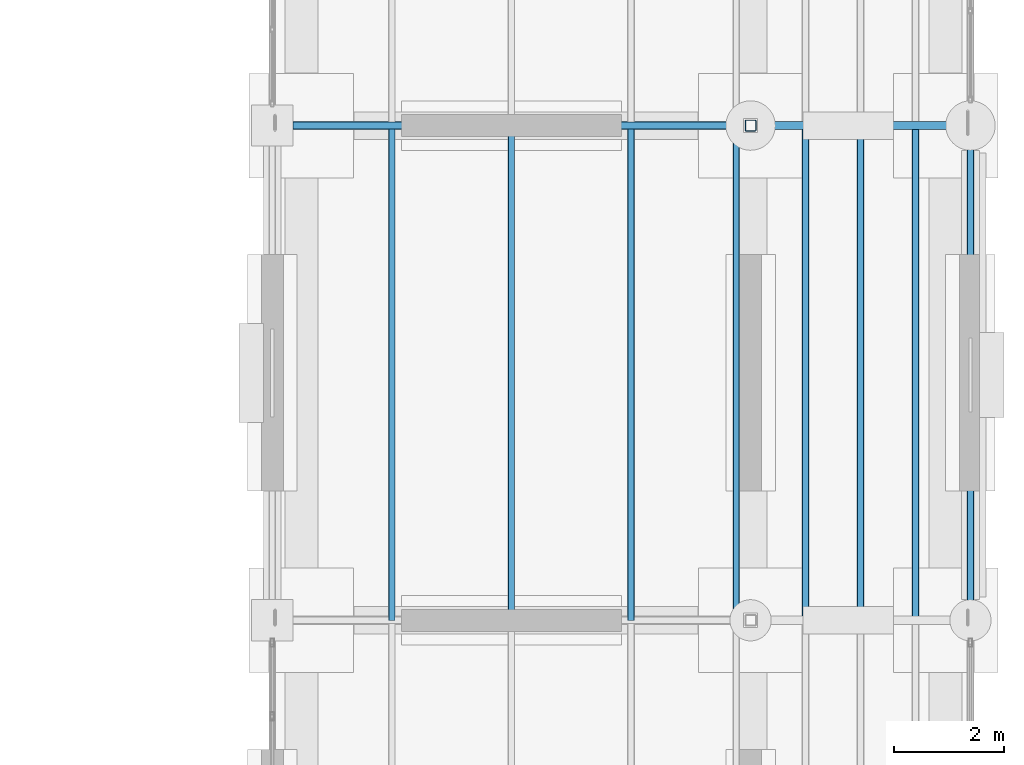
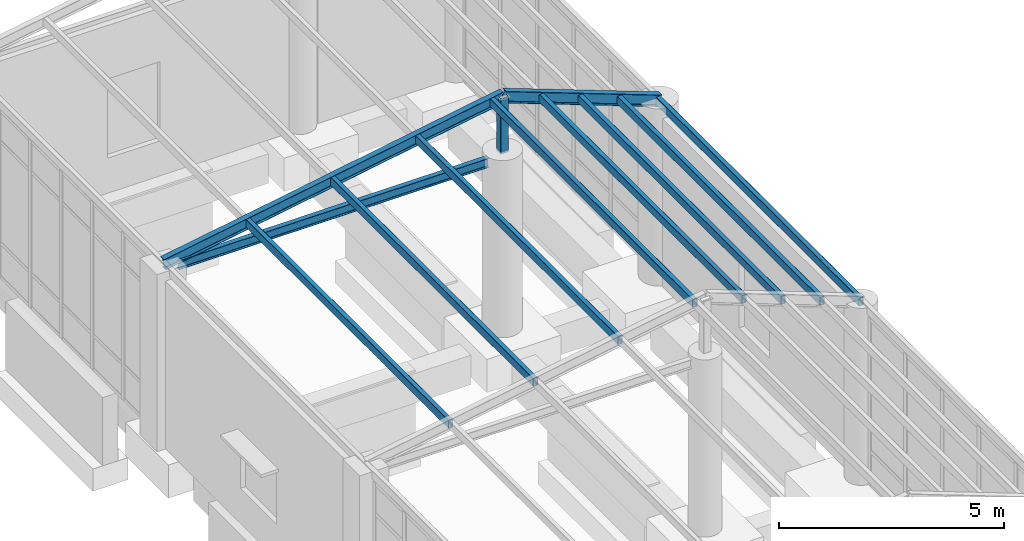
# One storey, part 69 of 111: 11 members, 1 beam.
"""IFC4 building model written with IfcOpenShell, lengths in metres."""

import ifcopenshell
import ifcopenshell.guid

model = None  # the IFC model being written
_history = None  # IfcOwnerHistory: only IFC2X3 demands one
_inside = {}  # id of a spatial element -> (the spatial element, [elements in it])
_under = {}  # id of a project, library or spatial element -> (it, [spatial elements below it])
_declared = {}  # id of a project -> (the project, [libraries it declares])
_typed = {}  # id of a type object -> (the type object, [elements of that type])
_made_of = {}  # id of a material, layer set ... -> (it, [elements and type objects made of it])


def new_model(schema):
    """Start an empty IFC model of exactly this schema.

    Asked for "IFC4X3", IfcOpenShell would pick the latest addendum, in which some entities
    have other attributes; the version numbers below select the first issue.
    IFC2X3 requires an IfcOwnerHistory on every rooted entity: one is made here for all.
    """
    global model, _history
    if schema == "IFC4X3":
        model = ifcopenshell.file(schema_version=(4, 3, 0, 0))
    else:
        model = ifcopenshell.file(schema=schema)
    _inside.clear()
    _under.clear()
    _declared.clear()
    _typed.clear()
    _made_of.clear()
    _history = None
    if model.schema == "IFC2X3":
        org = make("IfcOrganization", Name="unknown")
        user = make(
            "IfcPersonAndOrganization",
            ThePerson=make("IfcPerson", FamilyName="unknown"),
            TheOrganization=org,
        )
        app = make(
            "IfcApplication",
            ApplicationDeveloper=org,
            Version="unknown",
            ApplicationFullName="unknown",
            ApplicationIdentifier="unknown",
        )
        _history = make(
            "IfcOwnerHistory",
            OwningUser=user,
            OwningApplication=app,
            ChangeAction="ADDED",
            CreationDate=0,
        )
    return model


def make(cls, **values):
    """One entity of the class cls with the attributes given. An attribute that is None is left unset."""
    return model.create_entity(
        cls, **{name: value for name, value in values.items() if value is not None}
    )


def rooted(cls, **values):
    """An entity with a GlobalId (a new one), such as an element, a storey or a relation."""
    return make(cls, GlobalId=ifcopenshell.guid.new(), OwnerHistory=_history, **values)


def si_unit(unit_type, name, prefix=None):
    """IfcSIUnit, for example si_unit("LENGTHUNIT", "METRE", prefix="MILLI")."""
    return make("IfcSIUnit", UnitType=unit_type, Prefix=prefix, Name=name)


def assignment(units):
    """IfcUnitAssignment: the units of a project."""
    return None if units is None else make("IfcUnitAssignment", Units=units)


def point(xyz):
    """IfcCartesianPoint."""
    return None if xyz is None else make("IfcCartesianPoint", Coordinates=xyz)


def direction(xyz):
    """IfcDirection."""
    return None if xyz is None else make("IfcDirection", DirectionRatios=xyz)


def frame(location, z_axis=None, x_axis=None):
    """IfcAxis2Placement3D, a coordinate frame: its origin and axes. An axis left out is left unset."""
    return make(
        "IfcAxis2Placement3D",
        Location=point(location),
        Axis=direction(z_axis),
        RefDirection=direction(x_axis),
    )


def frame_2d(location, x_axis=None):
    """IfcAxis2Placement2D, a coordinate frame in the plane: its origin and x axis."""
    return make(
        "IfcAxis2Placement2D", Location=point(location), RefDirection=direction(x_axis)
    )


def origin():
    """The frame at (0, 0, 0) with its axes left unset."""
    return frame((0.0, 0.0, 0.0))


def origin_2d():
    """The frame at (0, 0) in the plane with its x axis left unset."""
    return frame_2d((0.0, 0.0))


def place(relative_to, where):
    """IfcLocalPlacement: puts the frame where relative to a parent placement (None: the world)."""
    return make(
        "IfcLocalPlacement", PlacementRelTo=relative_to, RelativePlacement=where
    )


def context(
    kind, dimensions, precision=None, world=None, true_north=None, identifier=None
):
    """IfcGeometricRepresentationContext, for example the 3D "Model" context."""
    return make(
        "IfcGeometricRepresentationContext",
        ContextIdentifier=identifier,
        ContextType=kind,
        CoordinateSpaceDimension=dimensions,
        Precision=precision,
        WorldCoordinateSystem=world,
        TrueNorth=true_north,
    )


def subcontext(parent, identifier, kind, view, scale=None):
    """IfcGeometricRepresentationSubContext, for example "Body" below "Model"."""
    return make(
        "IfcGeometricRepresentationSubContext",
        ContextIdentifier=identifier,
        ContextType=kind,
        ParentContext=parent,
        TargetScale=scale,
        TargetView=view,
    )


def project(units=None, contexts=None):
    """IfcProject with its units and contexts."""
    return rooted(
        "IfcProject",
        Name="project",
        RepresentationContexts=contexts,
        UnitsInContext=assignment(units),
    )


def spatial(cls, under=None, at=None, **own):
    """A site, building, storey or space (cls), placed at a placement, below another one or the project."""
    s = rooted(cls, ObjectPlacement=at, **own)
    if under is not None:
        _under.setdefault(under.id(), (under, []))[1].append(s)
    return s


def profile(cls, at=None, kind="AREA", **sizes):
    """A parametric profile (cls). Its sizes go by their IFC names, for example OverallWidth=200.0."""
    return make(cls, ProfileType=kind, Position=at, **sizes)


def hollow_rectangle(**sizes):
    """IfcRectangleHollowProfileDef."""
    return profile("IfcRectangleHollowProfileDef", **sizes)


def i_section(**sizes):
    """IfcIShapeProfileDef."""
    return profile("IfcIShapeProfileDef", **sizes)


def extrude(swept, where, along, depth):
    """IfcExtrudedAreaSolid: the profile swept, set in the frame where, extruded along a direction by depth."""
    return make(
        "IfcExtrudedAreaSolid",
        SweptArea=swept,
        Position=where,
        ExtrudedDirection=direction(along),
        Depth=depth,
    )


def shape(context_of_items, identifier, shape_type, items):
    """IfcShapeRepresentation: the items that make up one representation, for example the "Body"."""
    return make(
        "IfcShapeRepresentation",
        ContextOfItems=context_of_items,
        RepresentationIdentifier=identifier,
        RepresentationType=shape_type,
        Items=items,
    )


def material(Name=None, Category=None):
    """IfcMaterial."""
    return make("IfcMaterial", Name=Name, Category=Category)


def material_profile(
    of_material, cross_section, Name=None, Category=None, Priority=None
):
    """IfcMaterialProfile: a cross section and its material."""
    return make(
        "IfcMaterialProfile",
        Name=Name,
        Material=of_material,
        Profile=cross_section,
        Priority=Priority,
        Category=Category,
    )


def profile_set(profiles, Name=None, composite=None):
    """IfcMaterialProfileSet."""
    return make(
        "IfcMaterialProfileSet",
        Name=Name,
        MaterialProfiles=profiles,
        CompositeProfile=composite,
    )


def made_of(thing, what):
    """Note that an element or type object is made of a material, layer set ...; save() writes the relation."""
    if what is not None:
        _made_of.setdefault(what.id(), (what, []))[1].append(thing)
    return thing


def type_object(cls, material=None, **own):
    """A type object (cls), such as IfcWallType, which elements share."""
    return made_of(rooted(cls, **own), material)


def element(
    cls,
    number,
    at=None,
    inside=None,
    cuts=None,
    type_object=None,
    material=None,
    context=None,
    identifier="Body",
    shape_type=None,
    held_by="IfcProductDefinitionShape",
    body=None,
    shapes=None,
    **own,
):
    """One element of the class cls, such as IfcWall. Its Tag is "e" and its number.

    at: its placement. inside: the storey or other place that contains it. cuts: it is an
    opening in that element (IfcRelVoidsElement). A single representation is given by context,
    identifier, shape_type and body (its items); several are given by shapes. held_by: the class
    of the entity that holds the representations. save() writes the other relations.
    """
    e = rooted(cls, Tag="e%d" % number, ObjectPlacement=at, **own)
    if body is not None:
        shapes = [shape(context, identifier, shape_type, body)]
    if shapes is not None:
        e.Representation = make(held_by, Representations=shapes)
    if inside is not None:
        _inside.setdefault(inside.id(), (inside, []))[1].append(e)
    if cuts is not None:
        rooted(
            "IfcRelVoidsElement", RelatingBuildingElement=cuts, RelatedOpeningElement=e
        )
    if type_object is not None:
        _typed.setdefault(type_object.id(), (type_object, []))[1].append(e)
    return made_of(e, material)


def aggregate(whole, parts):
    """IfcRelAggregates: a whole, such as a stair, and the parts it consists of."""
    return rooted("IfcRelAggregates", RelatingObject=whole, RelatedObjects=parts)


def save(model, path):
    """Write the relations noted so far, then the file.

    IfcRelAggregates (storeys below a building ...), IfcRelContainedInSpatialStructure (elements
    in a storey), IfcRelDefinesByType, IfcRelAssociatesMaterial and IfcRelDeclares: one each for
    every whole, place, type object, material and project.
    """
    for whole, parts in _under.values():
        aggregate(whole, parts)
    for where, things in _inside.values():
        rooted(
            "IfcRelContainedInSpatialStructure",
            RelatedElements=things,
            RelatingStructure=where,
        )
    for kind, things in _typed.values():
        rooted("IfcRelDefinesByType", RelatedObjects=things, RelatingType=kind)
    for what, things in _made_of.values():
        rooted("IfcRelAssociatesMaterial", RelatedObjects=things, RelatingMaterial=what)
    for by, libraries in _declared.values():
        rooted("IfcRelDeclares", RelatingContext=by, RelatedDefinitions=libraries)
    model.write(path)


model = new_model("IFC4")

# Units and contexts
model_context = context("Model", 3, precision=1e-05, world=origin(), true_north=direction((0.0, 1.0)))
body_context = subcontext(model_context, "Body", "Model", "MODEL_VIEW")
ifc_project = project(units=[si_unit("LENGTHUNIT", "METRE"), si_unit("AREAUNIT", "SQUARE_METRE"), si_unit("VOLUMEUNIT", "CUBIC_METRE"), si_unit("PLANEANGLEUNIT", "RADIAN"), si_unit("MASSUNIT", "GRAM", prefix="KILO")], contexts=[model_context])

# Site, building, storey
site_placement = place(None, origin())
site = spatial("IfcSite", under=ifc_project, at=site_placement, CompositionType="ELEMENT")
building_placement = place(site_placement, origin())
building = spatial("IfcBuilding", under=site, at=building_placement, Name="Canglan Escarpment Cableway Terminal", CompositionType="ELEMENT")
storey_placement = place(building_placement, frame((0.0, 0.0, 4.800048828125)))
storey = spatial("IfcBuildingStorey", under=building, at=storey_placement, Name="L01", CompositionType="ELEMENT", Elevation=4.800048828125)

# Beam
ifc_material = material(Name="Steel Q355B", Category="steel")
ifc_material_profile_1 = material_profile(ifc_material, i_section(OverallWidth=0.125, OverallDepth=0.25, WebThickness=0.006103515625, FlangeThickness=0.009033203125, FilletRadius=0.011962890625, at=origin_2d()), Name="HN 250x125x6x9")
ifc_profile_set_1 = profile_set([ifc_material_profile_1], Name="Steel Q355B")
beam_type = type_object("IfcBeamType", Name="BM-CANOPY-HN250", PredefinedType="BEAM", material=ifc_profile_set_1)
beam_placement = place(storey_placement, frame((167.675048828125, 115.0, 4.599853515625), z_axis=(1.0, 0.0, 0.0), x_axis=(0.0, 1.0, 0.0)))
element("IfcBeam", 1, at=beam_placement, inside=storey, type_object=beam_type, Name="Colonnade tie beam RF-B3", PredefinedType="BEAM", context=body_context, shape_type="SweptSolid", body=[
    extrude(i_section(OverallWidth=0.125, OverallDepth=0.25, WebThickness=0.006103515625, FlangeThickness=0.009033203125, FilletRadius=0.011962890625, at=origin_2d()), origin(), (0.0, 0.0, 1.0), 7.949951171875),
])

# Members
ifc_material_profile_2 = material_profile(ifc_material, i_section(OverallWidth=0.14990234375, OverallDepth=0.300048828125, WebThickness=0.006591796875, FlangeThickness=0.009033203125, FilletRadius=0.012939453125, at=origin_2d()), Name="HN 300x150x6.5x9")
ifc_profile_set_2 = profile_set([ifc_material_profile_2], Name="Steel Q355B")
member_type_1 = type_object("IfcMemberType", Name="MB-COL-RAFT-HN300", PredefinedType="RAFTER", material=ifc_profile_set_2)
member_1_placement = place(storey_placement, frame((167.300048828125, 115.0, 4.75), z_axis=(0.985459956077, 0.0, 0.169907842574), x_axis=(0.0, 1.0, 0.0)))
element("IfcMember", 2, at=member_1_placement, inside=storey, type_object=member_type_1, Name="Colonnade pitched rafter RF-R01", PredefinedType="RAFTER", context=body_context, shape_type="SweptSolid", body=[
    extrude(i_section(OverallWidth=0.14990234375, OverallDepth=0.300048828125, WebThickness=0.006591796875, FlangeThickness=0.009033203125, FilletRadius=0.012939453125, at=origin_2d()), origin(), (0.0, 0.0, 1.0), 8.828369140625),
])
member_2_placement = place(storey_placement, frame((176.0, 115.0, 6.25), z_axis=(0.936329177569, 0.0, -0.351123441588), x_axis=(0.0, 1.0, 0.0)))
element("IfcMember", 3, at=member_2_placement, inside=storey, type_object=member_type_1, Name="Colonnade pitched rafter RF-R01", PredefinedType="RAFTER", context=body_context, shape_type="SweptSolid", body=[
    extrude(i_section(OverallWidth=0.14990234375, OverallDepth=0.300048828125, WebThickness=0.006591796875, FlangeThickness=0.009033203125, FilletRadius=0.012939453125, at=origin_2d()), origin(), (0.0, 0.0, 1.0), 4.27197265625),
])
ifc_material_profile_3 = material_profile(ifc_material, hollow_rectangle(XDim=0.1201171875, YDim=0.219970703125, WallThickness=0.006103515625, InnerFilletRadius=0.006103515625, OuterFilletRadius=0.011962890625, at=origin_2d()), Name="RHS 220x120x6")
ifc_profile_set_3 = profile_set([ifc_material_profile_3], Name="Steel Q355B")
member_type_2 = type_object("IfcMemberType", Name="MB-PAV-PUR-RHS220", PredefinedType="PURLIN", material=ifc_profile_set_3)
for number, where, z_axis, x_axis, name in (
    (4, (169.47509765625, 106.0, 5.094970703125), (0.0, 1.0, 0.0), (-1.0, 0.0, 0.0), "Colonnade canopy purlin PR-03"),
    (5, (171.64990234375, 106.0, 5.469970703125), (0.0, 1.0, 0.0), (-1.0, 0.0, 0.0), "Colonnade canopy purlin PR-03"),
    (6, (173.824951171875, 106.0, 5.844970703125), (0.0, 1.0, 0.0), (-1.0, 0.0, 0.0), "Colonnade canopy purlin PR-03"),
    (7, (175.739013671875, 106.0, 6.175048828125), (0.0, 1.0, 0.0), (-1.0, 0.0, 0.0), "Colonnade canopy purlin PR-03"),
    (8, (177.0, 106.0, 5.844970703125), (0.0, 1.0, 0.0), (-1.0, 0.0, 0.0), "Colonnade canopy purlin PR-03"),
    (9, (178.0, 106.0, 5.469970703125), (0.0, 1.0, 0.0), (-1.0, 0.0, 0.0), "Colonnade canopy purlin PR-03"),
    (10, (179.0, 106.0, 5.094970703125), (0.0, 1.0, 0.0), (-1.0, 0.0, 0.0), "Colonnade canopy purlin PR-03"),
    (11, (180.0, 106.0, 4.719970703125), (0.0, 1.0, 0.0), (-1.0, 0.0, 0.0), "Colonnade canopy purlin PR-03"),
):
    element("IfcMember", number, at=place(storey_placement, frame(where, z_axis=z_axis, x_axis=x_axis)), inside=storey, type_object=member_type_2, Name=name, PredefinedType="PURLIN", context=body_context, shape_type="SweptSolid", body=[
        extrude(hollow_rectangle(XDim=0.1201171875, YDim=0.219970703125, WallThickness=0.006103515625, InnerFilletRadius=0.006103515625, OuterFilletRadius=0.011962890625, at=origin_2d()), origin(), (0.0, 0.0, 1.0), 9.0),
    ])
ifc_material_profile_4 = material_profile(ifc_material, hollow_rectangle(XDim=0.199951171875, YDim=0.199951171875, WallThickness=0.008056640625, InnerFilletRadius=0.008056640625, OuterFilletRadius=0.01611328125, at=origin_2d()), Name="SHS 200x200x8")
ifc_profile_set_4 = profile_set([ifc_material_profile_4], Name="Steel Q355B")
member_type_3 = type_object("IfcMemberType", Name="MB-PRATT-WEB-SHS200", PredefinedType="BRACE", material=ifc_profile_set_4)
member_3_placement = place(storey_placement, frame((176.0, 115.0, 4.75), z_axis=(0.0, 0.0, 1.0), x_axis=(1.0, 0.0, 0.0)))
element("IfcMember", 12, at=member_3_placement, inside=storey, type_object=member_type_3, Name="Colonnade ridge ROOF TRUSS strut PT-WB1", PredefinedType="BRACE", context=body_context, shape_type="SweptSolid", body=[
    extrude(hollow_rectangle(XDim=0.199951171875, YDim=0.199951171875, WallThickness=0.008056640625, InnerFilletRadius=0.008056640625, OuterFilletRadius=0.01611328125, at=origin_2d()), origin(), (0.0, 0.0, 1.0), 1.5),
])

save(model, "model.ifc")
